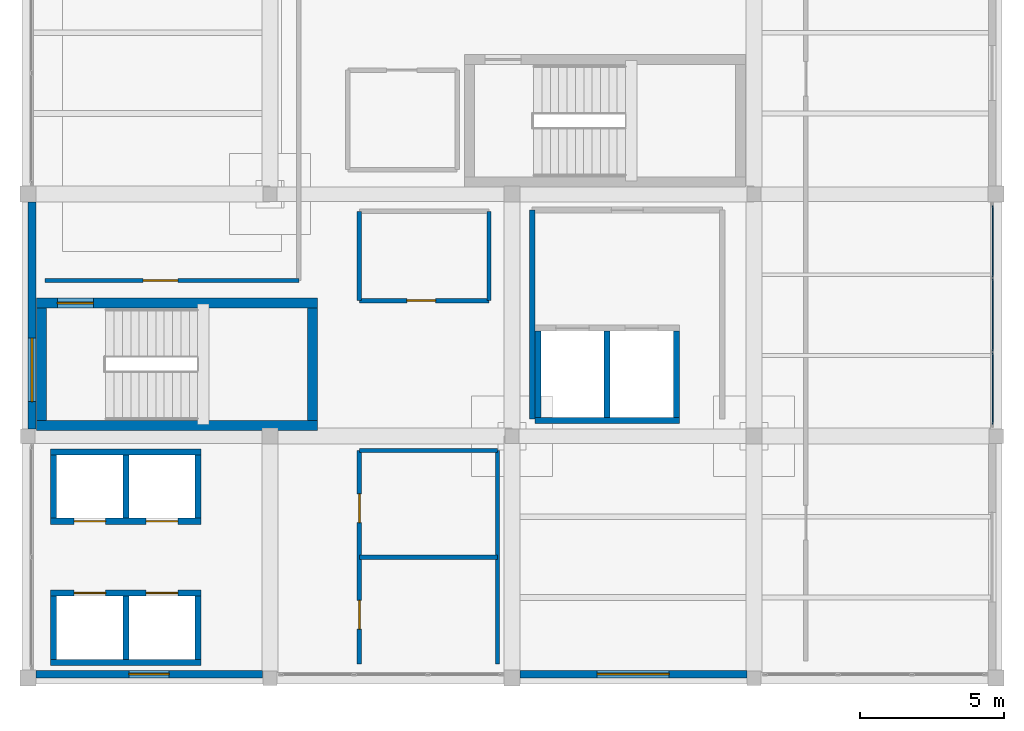
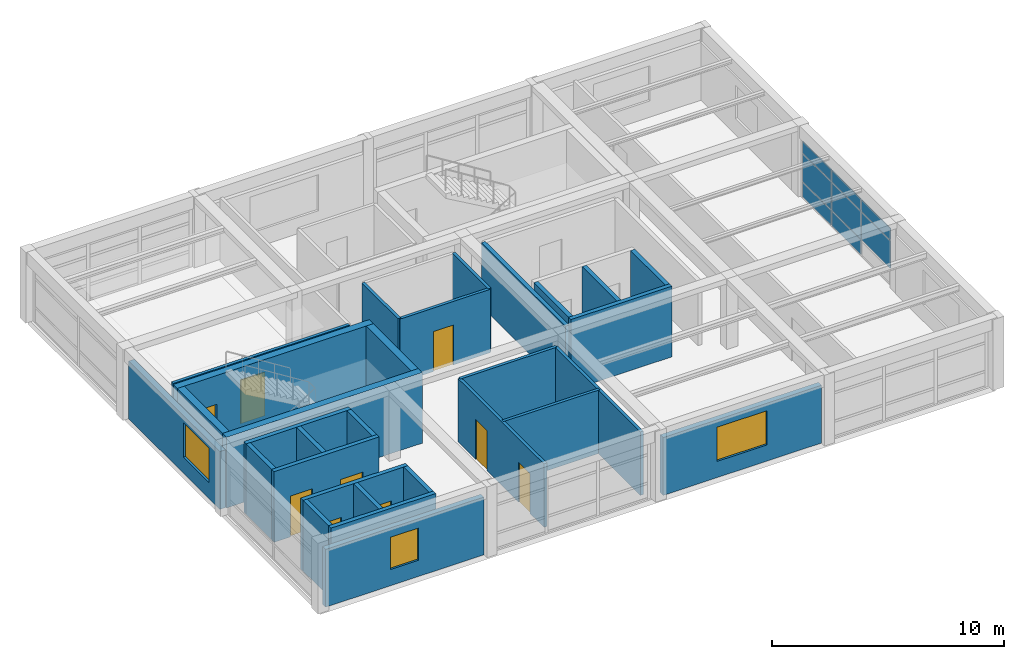
# One storey, part 18 of 20: 30 walls, 9 doors, 8 plates, 3 windows, 12 openings, 1 element without a shape of its own.
"""IFC4 building model written with IfcOpenShell, lengths in metres."""

from ifc_helpers import new_model, si_unit, direction, frame, frame_2d, origin, origin_2d, place, context, subcontext, project, spatial, rectangle, extrude, material, layer, layer_set, type_object, element, fill, aggregate, save


model = new_model("IFC4")

# Units and contexts
model_context = context("Model", 3, precision=1e-05, world=origin(), true_north=direction((0.0, 1.0)))
body_context = subcontext(model_context, "Body", "Model", "MODEL_VIEW")
ifc_project = project(units=[si_unit("LENGTHUNIT", "METRE"), si_unit("AREAUNIT", "SQUARE_METRE"), si_unit("VOLUMEUNIT", "CUBIC_METRE"), si_unit("PLANEANGLEUNIT", "RADIAN"), si_unit("MASSUNIT", "GRAM", prefix="KILO")], contexts=[model_context])

# Site, building, storey
site_placement = place(None, origin())
site = spatial("IfcSite", under=ifc_project, at=site_placement, CompositionType="ELEMENT")
building_placement = place(site_placement, origin())
building = spatial("IfcBuilding", under=site, at=building_placement, Name="Almacenes y Pasaje Nevantli", CompositionType="ELEMENT")
storey_placement = place(building_placement, frame((0.0, 0.0, 62.699951171875)))
storey = spatial("IfcBuildingStorey", under=building, at=storey_placement, Name="L15", CompositionType="ELEMENT", Elevation=62.699951171875)

# Curtain wall, plates
ifc_material_1 = material(Name="Thermally Broken Aluminium and Low-E Glass", Category="aluminium")
curtain_wall_type = type_object("IfcCurtainWallType", Name="CW-UNIT-TOWER", PredefinedType="USERDEFINED", material=ifc_material_1)
curtain_wall_placement = place(storey_placement, origin())
curtain_wall = element("IfcCurtainWall", 1, at=curtain_wall_placement, inside=storey, type_object=curtain_wall_type, Name="L15 Tower East Curtain Wall Bay 10", ObjectType="UNITIZED CURTAIN WALL", PredefinedType="USERDEFINED")
ifc_material_2 = material(Name="Acoustic Tempered Low-E Triple Glazed Unit", Category="glass")
ifc_layer_1 = layer(ifc_material_2, 0.0419921875)
ifc_layer_set_1 = layer_set([ifc_layer_1], Name="Acoustic Tempered Low-E Triple Glazed Unit")
plate_type = type_object("IfcPlateType", Name="PL-IGU-42", PredefinedType="CURTAIN_PANEL", material=ifc_layer_set_1)
plate_1_placement = place(storey_placement, frame((151.080078125, 77.248291015625, 0.880126953125), z_axis=(0.0, 0.0, 1.0), x_axis=(0.0, 1.0, 0.0)))
plate_1 = element("IfcPlate", 2, at=plate_1_placement, type_object=plate_type, Name="CW-L15-189 panel 1.2", PredefinedType="CURTAIN_PANEL", context=body_context, shape_type="SweptSolid", body=[
    extrude(rectangle(XDim=2.4765625, YDim=0.0419921875, at=origin_2d()), origin(), (0.0, 0.0, 1.0), 1.43994140625),
])
plate_2_placement = place(storey_placement, frame((151.080078125, 77.248291015625, 2.3798828125), z_axis=(0.0, 0.0, 1.0), x_axis=(0.0, 1.0, 0.0)))
plate_2 = element("IfcPlate", 3, at=plate_2_placement, type_object=plate_type, Name="CW-L15-189 panel 1.3", PredefinedType="CURTAIN_PANEL", context=body_context, shape_type="SweptSolid", body=[
    extrude(rectangle(XDim=2.4765625, YDim=0.0419921875, at=origin_2d()), origin(), (0.0, 0.0, 1.0), 0.60009765625),
])
plate_3_placement = place(storey_placement, frame((151.080078125, 79.800048828125, 0.06005859375), z_axis=(0.0, 0.0, 1.0), x_axis=(0.0, 1.0, 0.0)))
plate_3 = element("IfcPlate", 4, at=plate_3_placement, type_object=plate_type, Name="CW-L15-189 panel 2.1", PredefinedType="CURTAIN_PANEL", context=body_context, shape_type="SweptSolid", body=[
    extrude(rectangle(XDim=2.506591796875, YDim=0.0419921875, at=origin_2d()), origin(), (0.0, 0.0, 1.0), 0.760009765625),
])
plate_4_placement = place(storey_placement, frame((151.080078125, 79.800048828125, 0.880126953125), z_axis=(0.0, 0.0, 1.0), x_axis=(0.0, 1.0, 0.0)))
plate_4 = element("IfcPlate", 5, at=plate_4_placement, type_object=plate_type, Name="CW-L15-189 panel 2.2", PredefinedType="CURTAIN_PANEL", context=body_context, shape_type="SweptSolid", body=[
    extrude(rectangle(XDim=2.506591796875, YDim=0.0419921875, at=origin_2d()), origin(), (0.0, 0.0, 1.0), 1.43994140625),
])
plate_5_placement = place(storey_placement, frame((151.080078125, 79.800048828125, 2.3798828125), z_axis=(0.0, 0.0, 1.0), x_axis=(0.0, 1.0, 0.0)))
plate_5 = element("IfcPlate", 6, at=plate_5_placement, type_object=plate_type, Name="CW-L15-189 panel 2.3", PredefinedType="CURTAIN_PANEL", context=body_context, shape_type="SweptSolid", body=[
    extrude(rectangle(XDim=2.506591796875, YDim=0.0419921875, at=origin_2d()), origin(), (0.0, 0.0, 1.0), 0.60009765625),
])
plate_6_placement = place(storey_placement, frame((151.080078125, 82.3515625, 0.06005859375), z_axis=(0.0, 0.0, 1.0), x_axis=(0.0, 1.0, 0.0)))
plate_6 = element("IfcPlate", 7, at=plate_6_placement, type_object=plate_type, Name="CW-L15-189 panel 3.1", PredefinedType="CURTAIN_PANEL", context=body_context, shape_type="SweptSolid", body=[
    extrude(rectangle(XDim=2.4765625, YDim=0.0419921875, at=origin_2d()), origin(), (0.0, 0.0, 1.0), 0.760009765625),
])
plate_7_placement = place(storey_placement, frame((151.080078125, 82.3515625, 0.880126953125), z_axis=(0.0, 0.0, 1.0), x_axis=(0.0, 1.0, 0.0)))
plate_7 = element("IfcPlate", 8, at=plate_7_placement, type_object=plate_type, Name="CW-L15-189 panel 3.2", PredefinedType="CURTAIN_PANEL", context=body_context, shape_type="SweptSolid", body=[
    extrude(rectangle(XDim=2.4765625, YDim=0.0419921875, at=origin_2d()), origin(), (0.0, 0.0, 1.0), 1.43994140625),
])
plate_8_placement = place(storey_placement, frame((151.080078125, 82.3515625, 2.3798828125), z_axis=(0.0, 0.0, 1.0), x_axis=(0.0, 1.0, 0.0)))
plate_8 = element("IfcPlate", 9, at=plate_8_placement, type_object=plate_type, Name="CW-L15-189 panel 3.3", PredefinedType="CURTAIN_PANEL", context=body_context, shape_type="SweptSolid", body=[
    extrude(rectangle(XDim=2.4765625, YDim=0.0419921875, at=origin_2d()), origin(), (0.0, 0.0, 1.0), 0.60009765625),
])
aggregate(curtain_wall, [plate_1, plate_2, plate_3, plate_4, plate_5, plate_6, plate_7, plate_8])

# Walls
ifc_material_3 = material(Name="Fire-Rated Concrete Blockwork", Category="masonry")
ifc_layer_2 = layer(ifc_material_3, 0.199951171875)
ifc_layer_set_2 = layer_set([ifc_layer_2], Name="Fire-Rated Concrete Blockwork")
wall_type_1 = type_object("IfcWallType", Name="WL-COMP-200", PredefinedType="PARTITIONING", material=ifc_layer_set_2)
wall_1_placement = place(storey_placement, frame((135.10009765625, 76.199951171875, 0.0), z_axis=(0.0, 0.0, 1.0), x_axis=(0.0, 1.0, 0.0)))
element("IfcWall", 10, at=wall_1_placement, inside=storey, type_object=wall_type_1, Name="L15 Interior Partition Wall IW-200 #259", PredefinedType="PARTITIONING", context=body_context, shape_type="SweptSolid", body=[
    extrude(rectangle(XDim=7.25, YDim=0.199951171875, at=frame_2d((3.625, 0.0))), origin(), (0.0, 0.0, 1.0), 3.340087890625),
])
ifc_material_4 = material(Name="Concrete C45/55", Category="concrete")
ifc_layer_3 = layer(ifc_material_4, 0.35009765625)
ifc_layer_set_3 = layer_set([ifc_layer_3], Name="Concrete C45/55")
wall_type_2 = type_object("IfcWallType", Name="WL-CORE-350", PredefinedType="SHEAR", material=ifc_layer_set_3)
wall_2_placement = place(storey_placement, frame((117.89990234375, 75.97509765625, 0.0), z_axis=(0.0, 0.0, 1.0), x_axis=(1.0, 0.0, 0.0)))
element("IfcWall", 11, at=wall_2_placement, inside=storey, type_object=wall_type_2, Name="L15 Exit Stair ST-01 South Core Shear Wall", PredefinedType="SHEAR", context=body_context, shape_type="SweptSolid", body=[
    extrude(rectangle(XDim=9.75, YDim=0.35009765625, at=frame_2d((4.875, 0.0))), origin(), (0.0, 0.0, 1.0), 3.719970703125),
])

# Wall, opening, door
wall_3_placement = place(storey_placement, frame((117.89990234375, 80.215087890625, 0.0), z_axis=(0.0, 0.0, 1.0), x_axis=(1.0, 0.0, 0.0)))
wall_3 = element("IfcWall", 12, at=wall_3_placement, inside=storey, type_object=wall_type_2, Name="L15 Exit Stair ST-01 North Core Shear Wall", PredefinedType="SHEAR", context=body_context, shape_type="SweptSolid", body=[
    extrude(rectangle(XDim=9.75, YDim=0.35009765625, at=frame_2d((4.875, 0.0))), origin(), (0.0, 0.0, 1.0), 3.719970703125),
])
opening_1_placement = place(wall_3_placement, frame((0.719970703125, 0.0, 0.0)))
opening_1 = element("IfcOpeningElement", 13, at=opening_1_placement, cuts=wall_3, Name="Opening SD-01-L15", PredefinedType="OPENING", context=body_context, shape_type="SweptSolid", body=[
    extrude(rectangle(XDim=1.25, YDim=2.199951171875, at=frame_2d((0.625, 1.10009765625))), frame((0.0, 0.18505859375, 0.0), z_axis=(0.0, -1.0, 0.0), x_axis=(1.0, 0.0, 0.0)), (0.0, 0.0, 1.0), 0.3701171875),
])
ifc_material_5 = material(Name="Galvanized Fire-Rated Steel", Category="steel")
door_type_1 = type_object("IfcDoorType", Name="DR-STAIR-1250", OperationType="SINGLE_SWING_LEFT", PredefinedType="DOOR", material=ifc_material_5)
door_1_placement = place(opening_1_placement, origin())
door_1 = element("IfcDoor", 14, at=door_1_placement, inside=storey, type_object=door_type_1, Name="L15 Smokeproof Exit Stair ST-01 Fire Door", OperationType="SINGLE_SWING_LEFT", OverallHeight=2.199951171875, OverallWidth=1.25, PredefinedType="DOOR", context=body_context, shape_type="SweptSolid", body=[
    extrude(rectangle(XDim=1.25, YDim=2.199951171875, at=frame_2d((0.625, 1.10009765625))), frame((0.0, 0.02490234375, 0.0), z_axis=(0.0, -1.0, 0.0), x_axis=(1.0, 0.0, 0.0)), (0.0, 0.0, 1.0), 0.050048828125),
])
fill(opening_1, door_1)

# Walls
for number, where, z_axis, x_axis, name in (
    (15, (118.074951171875, 76.14990234375, 0.0), (0.0, 0.0, 1.0), (0.0, 1.0, 0.0), "L15 Exit Stair ST-01 West Core Shear Wall"),
    (16, (127.47509765625, 76.14990234375, 0.0), (0.0, 0.0, 1.0), (0.0, 1.0, 0.0), "L15 Exit Stair ST-01 East Core Shear Wall"),
):
    element("IfcWall", number, at=place(storey_placement, frame(where, z_axis=z_axis, x_axis=x_axis)), inside=storey, type_object=wall_type_2, Name=name, PredefinedType="SHEAR", context=body_context, shape_type="SweptSolid", body=[
        extrude(rectangle(XDim=3.89013671875, YDim=0.35009765625, at=frame_2d((1.945068359375, 0.0))), origin(), (0.0, 0.0, 1.0), 3.719970703125),
    ])

# Wall, opening, window
ifc_material_6 = material(Name="Architectural Precast Concrete C35/45 Spandrel Wall", Category="concrete")
ifc_layer_4 = layer(ifc_material_6, 0.280029296875)
ifc_layer_set_4 = layer_set([ifc_layer_4], Name="Architectural Precast Concrete C35/45 Spandrel Wall")
wall_type_3 = type_object("IfcWallType", Name="WL-EXT-CANTERA-280", PredefinedType="SOLIDWALL", material=ifc_layer_set_4)
wall_4_placement = place(storey_placement, frame((117.739990234375, 75.85205078125, 0.0), z_axis=(0.0, 0.0, 1.0), x_axis=(0.0, 1.0, 0.0)))
wall_4 = element("IfcWall", 17, at=wall_4_placement, inside=storey, type_object=wall_type_3, Name="L15 Tower West Cantera Wall Bay 10", PredefinedType="SOLIDWALL", context=body_context, shape_type="SweptSolid", body=[
    extrude(rectangle(XDim=7.869873046875, YDim=0.280029296875, at=frame_2d((3.93505859375, 0.0))), origin(), (0.0, 0.0, 1.0), 3.0400390625),
])
opening_2_placement = place(wall_4_placement, frame((0.947998046875, 0.0, 0.85009765625)))
opening_2 = element("IfcOpeningElement", 18, at=opening_2_placement, cuts=wall_4, Name="Opening WT-31-280", PredefinedType="OPENING", context=body_context, shape_type="SweptSolid", body=[
    extrude(rectangle(XDim=2.199951171875, YDim=1.800048828125, at=frame_2d((1.10009765625, 0.89990234375))), frame((0.0, 0.14990234375, 0.0), z_axis=(0.0, -1.0, 0.0), x_axis=(1.0, 0.0, 0.0)), (0.0, 0.0, 1.0), 0.300048828125),
])
ifc_material_7 = material(Name="Thermally Broken Aluminium and Low-E Double Glazing", Category="aluminium")
window_type_1 = type_object("IfcWindowType", Name="WN-TWR-2200x1800", PartitioningType="SINGLE_PANEL", PredefinedType="WINDOW", material=ifc_material_7)
window_1_placement = place(opening_2_placement, origin())
window_1 = element("IfcWindow", 19, at=window_1_placement, inside=storey, type_object=window_type_1, Name="L15 Exterior Window WT-31 #280", OverallHeight=1.800048828125, OverallWidth=2.199951171875, PartitioningType="SINGLE_PANEL", PredefinedType="WINDOW", context=body_context, shape_type="SweptSolid", body=[
    extrude(rectangle(XDim=2.199951171875, YDim=1.800048828125, at=frame_2d((1.10009765625, 0.89990234375))), frame((0.0, 0.030029296875, 0.0), z_axis=(0.0, -1.0, 0.0), x_axis=(1.0, 0.0, 0.0)), (0.0, 0.0, 1.0), 0.06005859375),
])
fill(opening_2, window_1)

ifc_material_8 = material(Name="Cream Architectural Precast Concrete C35/45 Wall", Category="concrete")
ifc_layer_5 = layer(ifc_material_8, 0.260009765625)
ifc_layer_set_5 = layer_set([ifc_layer_5], Name="Cream Architectural Precast Concrete C35/45 Wall")
wall_type_4 = type_object("IfcWallType", Name="WL-EXT-PRECAST-260", PredefinedType="SOLIDWALL", material=ifc_layer_set_5)
wall_5_placement = place(storey_placement, frame((117.8779296875, 67.340087890625, 0.0), z_axis=(0.0, 0.0, 1.0), x_axis=(1.0, 0.0, 0.0)))
wall_5 = element("IfcWall", 20, at=wall_5_placement, inside=storey, type_object=wall_type_4, Name="L15 Tower South Precast Spandrel Wall Bay 15", PredefinedType="SOLIDWALL", context=body_context, shape_type="SweptSolid", body=[
    extrude(rectangle(XDim=7.8681640625, YDim=0.260009765625, at=frame_2d((3.93408203125, 0.0))), origin(), (0.0, 0.0, 1.0), 3.0400390625),
])
opening_3_placement = place(wall_5_placement, frame((3.221923828125, 0.0, 0.85009765625)))
opening_3 = element("IfcOpeningElement", 21, at=opening_3_placement, cuts=wall_5, Name="Opening WT-34-275", PredefinedType="OPENING", context=body_context, shape_type="SweptSolid", body=[
    extrude(rectangle(XDim=1.39990234375, YDim=1.699951171875, at=frame_2d((0.699951171875, 0.85009765625))), frame((0.0, 0.139892578125, 0.0), z_axis=(0.0, -1.0, 0.0), x_axis=(1.0, 0.0, 0.0)), (0.0, 0.0, 1.0), 0.280029296875),
])
ifc_material_9 = material(Name="Thermally Broken Aluminium and Low-E Double Glazing", Category="aluminium")
window_type_2 = type_object("IfcWindowType", Name="WN-TWR-1400x1700", PartitioningType="SINGLE_PANEL", PredefinedType="WINDOW", material=ifc_material_9)
window_2_placement = place(opening_3_placement, origin())
window_2 = element("IfcWindow", 22, at=window_2_placement, inside=storey, type_object=window_type_2, Name="L15 Exterior Window WT-34 #275", OverallHeight=1.699951171875, OverallWidth=1.39990234375, PartitioningType="SINGLE_PANEL", PredefinedType="WINDOW", context=body_context, shape_type="SweptSolid", body=[
    extrude(rectangle(XDim=1.39990234375, YDim=1.699951171875, at=frame_2d((0.699951171875, 0.85009765625))), frame((0.0, 0.030029296875, 0.0), z_axis=(0.0, -1.0, 0.0), x_axis=(1.0, 0.0, 0.0)), (0.0, 0.0, 1.0), 0.06005859375),
])
fill(opening_3, window_2)

wall_6_placement = place(storey_placement, frame((134.677978515625, 67.340087890625, 0.0), z_axis=(0.0, 0.0, 1.0), x_axis=(1.0, 0.0, 0.0)))
wall_6 = element("IfcWall", 23, at=wall_6_placement, inside=storey, type_object=wall_type_4, Name="L15 Tower South Precast Spandrel Wall Bay 17", PredefinedType="SOLIDWALL", context=body_context, shape_type="SweptSolid", body=[
    extrude(rectangle(XDim=7.8701171875, YDim=0.260009765625, at=frame_2d((3.93505859375, 0.0))), origin(), (0.0, 0.0, 1.0), 3.0400390625),
])
opening_4_placement = place(wall_6_placement, frame((2.672119140625, 0.0, 0.85009765625)))
opening_4 = element("IfcOpeningElement", 24, at=opening_4_placement, cuts=wall_6, Name="Opening WT-30-277", PredefinedType="OPENING", context=body_context, shape_type="SweptSolid", body=[
    extrude(rectangle(XDim=2.5, YDim=1.800048828125, at=frame_2d((1.25, 0.89990234375))), frame((0.0, 0.139892578125, 0.0), z_axis=(0.0, -1.0, 0.0), x_axis=(1.0, 0.0, 0.0)), (0.0, 0.0, 1.0), 0.280029296875),
])
ifc_material_10 = material(Name="Thermally Broken Aluminium and Low-E Double Glazing", Category="aluminium")
window_type_3 = type_object("IfcWindowType", Name="WN-TWR-2500x1800", PartitioningType="SINGLE_PANEL", PredefinedType="WINDOW", material=ifc_material_10)
window_3_placement = place(opening_4_placement, origin())
window_3 = element("IfcWindow", 25, at=window_3_placement, inside=storey, type_object=window_type_3, Name="L15 Exterior Window WT-30 #277", OverallHeight=1.800048828125, OverallWidth=2.5, PartitioningType="SINGLE_PANEL", PredefinedType="WINDOW", context=body_context, shape_type="SweptSolid", body=[
    extrude(rectangle(XDim=2.5, YDim=1.800048828125, at=frame_2d((1.25, 0.89990234375))), frame((0.0, 0.030029296875, 0.0), z_axis=(0.0, -1.0, 0.0), x_axis=(1.0, 0.0, 0.0)), (0.0, 0.0, 1.0), 0.06005859375),
])
fill(opening_4, window_3)

# Wall, opening, door
ifc_material_11 = material(Name="Acoustic Steel-Stud Gypsum Partition", Category="steel")
ifc_layer_6 = layer(ifc_material_11, 0.14990234375)
ifc_layer_set_6 = layer_set([ifc_layer_6], Name="Acoustic Steel-Stud Gypsum Partition")
wall_type_5 = type_object("IfcWallType", Name="WL-PART-150", PredefinedType="PARTITIONING", material=ifc_layer_set_6)
wall_7_placement = place(storey_placement, frame((129.10009765625, 80.300048828125, 0.0), z_axis=(0.0, 0.0, 1.0), x_axis=(1.0, 0.0, 0.0)))
wall_7 = element("IfcWall", 26, at=wall_7_placement, inside=storey, type_object=wall_type_5, Name="L15 Interior Partition Wall IW-150 #261", PredefinedType="PARTITIONING", context=body_context, shape_type="SweptSolid", body=[
    extrude(rectangle(XDim=4.5, YDim=0.14990234375, at=frame_2d((2.25, 0.0))), origin(), (0.0, 0.0, 1.0), 3.340087890625),
])
opening_5_placement = place(wall_7_placement, frame((1.64990234375, 0.0, 0.0)))
opening_5 = element("IfcOpeningElement", 27, at=opening_5_placement, cuts=wall_7, Name="Opening ID-L15-138", PredefinedType="OPENING", context=body_context, shape_type="SweptSolid", body=[
    extrude(rectangle(XDim=1.0, YDim=2.10009765625, at=frame_2d((0.5, 1.050048828125))), frame((0.0, 0.0849609375, 0.0), z_axis=(0.0, -1.0, 0.0), x_axis=(1.0, 0.0, 0.0)), (0.0, 0.0, 1.0), 0.169921875),
])
ifc_material_12 = material(Name="Powder-Coated Hollow Metal", Category="steel")
door_type_2 = type_object("IfcDoorType", Name="DR-INT-1000", OperationType="SINGLE_SWING_LEFT", PredefinedType="DOOR", material=ifc_material_12)
door_2_placement = place(opening_5_placement, origin())
door_2 = element("IfcDoor", 28, at=door_2_placement, inside=storey, type_object=door_type_2, Name="L15 Staff and Public WC Door", OperationType="SINGLE_SWING_LEFT", OverallHeight=2.10009765625, OverallWidth=1.0, PredefinedType="DOOR", context=body_context, shape_type="SweptSolid", body=[
    extrude(rectangle(XDim=1.0, YDim=2.10009765625, at=frame_2d((0.5, 1.050048828125))), frame((0.0, 0.02490234375, 0.0), z_axis=(0.0, -1.0, 0.0), x_axis=(1.0, 0.0, 0.0)), (0.0, 0.0, 1.0), 0.050048828125),
])
fill(opening_5, door_2)

# Walls
for number, where, z_axis, x_axis, name in (
    (29, (129.10009765625, 80.300048828125, 0.0), (0.0, 0.0, 1.0), (0.0, 1.0, 0.0), "L15 Interior Partition Wall IW-150 #263"),
    (30, (133.60009765625, 80.300048828125, 0.0), (0.0, 0.0, 1.0), (0.0, 1.0, 0.0), "L15 Interior Partition Wall IW-150 #264"),
):
    element("IfcWall", number, at=place(storey_placement, frame(where, z_axis=z_axis, x_axis=x_axis)), inside=storey, type_object=wall_type_5, Name=name, PredefinedType="PARTITIONING", context=body_context, shape_type="SweptSolid", body=[
        extrude(rectangle(XDim=3.099853515625, YDim=0.14990234375, at=frame_2d((1.5498046875, 0.0))), origin(), (0.0, 0.0, 1.0), 3.340087890625),
    ])

# Wall, openings, doors
wall_8_placement = place(storey_placement, frame((129.10009765625, 67.699951171875, 0.0), z_axis=(0.0, 0.0, 1.0), x_axis=(0.0, 1.0, 0.0)))
wall_8 = element("IfcWall", 31, at=wall_8_placement, inside=storey, type_object=wall_type_5, Name="L15 Interior Partition Wall IW-150 #269", PredefinedType="PARTITIONING", context=body_context, shape_type="SweptSolid", body=[
    extrude(rectangle(XDim=7.400146484375, YDim=0.14990234375, at=frame_2d((3.7001953125, 0.0))), origin(), (0.0, 0.0, 1.0), 3.340087890625),
])
opening_6_placement = place(wall_8_placement, frame((1.199951171875, 0.0, 0.0)))
opening_6 = element("IfcOpeningElement", 32, at=opening_6_placement, cuts=wall_8, Name="Opening ID-L15-140", PredefinedType="OPENING", context=body_context, shape_type="SweptSolid", body=[
    extrude(rectangle(XDim=1.0, YDim=2.10009765625, at=frame_2d((0.5, 1.050048828125))), frame((0.0, 0.0849609375, 0.0), z_axis=(0.0, -1.0, 0.0), x_axis=(1.0, 0.0, 0.0)), (0.0, 0.0, 1.0), 0.169921875),
])
opening_7_placement = place(wall_8_placement, frame((4.89990234375, 0.0, 0.0)))
opening_7 = element("IfcOpeningElement", 33, at=opening_7_placement, cuts=wall_8, Name="Opening ID-L15-141", PredefinedType="OPENING", context=body_context, shape_type="SweptSolid", body=[
    extrude(rectangle(XDim=1.0, YDim=2.10009765625, at=frame_2d((0.5, 1.050048828125))), frame((0.0, 0.0849609375, 0.0), z_axis=(0.0, -1.0, 0.0), x_axis=(1.0, 0.0, 0.0)), (0.0, 0.0, 1.0), 0.169921875),
])
door_3_placement = place(opening_6_placement, origin())
door_3 = element("IfcDoor", 34, at=door_3_placement, inside=storey, type_object=door_type_2, Name="L15 Archive Room Door", OperationType="SINGLE_SWING_LEFT", OverallHeight=2.10009765625, OverallWidth=1.0, PredefinedType="DOOR", context=body_context, shape_type="SweptSolid", body=[
    extrude(rectangle(XDim=1.0, YDim=2.10009765625, at=frame_2d((0.5, 1.050048828125))), frame((0.0, 0.02490234375, 0.0), z_axis=(0.0, -1.0, 0.0), x_axis=(1.0, 0.0, 0.0)), (0.0, 0.0, 1.0), 0.050048828125),
])
fill(opening_6, door_3)
ifc_material_13 = material(Name="Powder-Coated Hollow Metal", Category="steel")
door_type_3 = type_object("IfcDoorType", Name="DR-INT-1000R", OperationType="SINGLE_SWING_RIGHT", PredefinedType="DOOR", material=ifc_material_13)
door_4_placement = place(opening_7_placement, origin())
door_4 = element("IfcDoor", 35, at=door_4_placement, inside=storey, type_object=door_type_3, Name="L15 IT Server Room Door", OperationType="SINGLE_SWING_RIGHT", OverallHeight=2.10009765625, OverallWidth=1.0, PredefinedType="DOOR", context=body_context, shape_type="SweptSolid", body=[
    extrude(rectangle(XDim=1.0, YDim=2.10009765625, at=frame_2d((0.5, 1.050048828125))), frame((0.0, 0.02490234375, 0.0), z_axis=(0.0, -1.0, 0.0), x_axis=(1.0, 0.0, 0.0)), (0.0, 0.0, 1.0), 0.050048828125),
])
fill(opening_7, door_4)

# Walls
wall_9_placement = place(storey_placement, frame((129.10009765625, 71.39990234375, 0.0), z_axis=(0.0, 0.0, 1.0), x_axis=(1.0, 0.0, 0.0)))
element("IfcWall", 36, at=wall_9_placement, inside=storey, type_object=wall_type_5, Name="L15 Interior Partition Wall IW-150 #270", PredefinedType="PARTITIONING", context=body_context, shape_type="SweptSolid", body=[
    extrude(rectangle(XDim=4.7998046875, YDim=0.14990234375, at=frame_2d((2.39990234375, 0.0))), origin(), (0.0, 0.0, 1.0), 3.340087890625),
])
wall_10_placement = place(storey_placement, frame((133.89990234375, 67.699951171875, 0.0), z_axis=(0.0, 0.0, 1.0), x_axis=(0.0, 1.0, 0.0)))
element("IfcWall", 37, at=wall_10_placement, inside=storey, type_object=wall_type_5, Name="L15 Interior Partition Wall IW-150 #271", PredefinedType="PARTITIONING", context=body_context, shape_type="SweptSolid", body=[
    extrude(rectangle(XDim=7.400146484375, YDim=0.14990234375, at=frame_2d((3.7001953125, 0.0))), origin(), (0.0, 0.0, 1.0), 3.340087890625),
])
wall_11_placement = place(storey_placement, frame((129.10009765625, 75.10009765625, 0.0), z_axis=(0.0, 0.0, 1.0), x_axis=(1.0, 0.0, 0.0)))
element("IfcWall", 38, at=wall_11_placement, inside=storey, type_object=wall_type_5, Name="L15 Interior Partition Wall IW-150 #272", PredefinedType="PARTITIONING", context=body_context, shape_type="SweptSolid", body=[
    extrude(rectangle(XDim=4.7998046875, YDim=0.14990234375, at=frame_2d((2.39990234375, 0.0))), origin(), (0.0, 0.0, 1.0), 3.340087890625),
])

# Wall, opening, door
wall_12_placement = place(storey_placement, frame((118.199951171875, 81.0, 0.0), z_axis=(0.0, 0.0, 1.0), x_axis=(1.0, 0.0, 0.0)))
wall_12 = element("IfcWall", 39, at=wall_12_placement, inside=storey, type_object=wall_type_5, Name="L15 Interior Partition Wall IW-150 #274", PredefinedType="PARTITIONING", context=body_context, shape_type="SweptSolid", body=[
    extrude(rectangle(XDim=8.800048828125, YDim=0.14990234375, at=frame_2d((4.39990234375, 0.0))), origin(), (0.0, 0.0, 1.0), 3.340087890625),
])
opening_8_placement = place(wall_12_placement, frame((3.39990234375, 0.0, 0.0)))
opening_8 = element("IfcOpeningElement", 40, at=opening_8_placement, cuts=wall_12, Name="Opening ID-L15-144", PredefinedType="OPENING", context=body_context, shape_type="SweptSolid", body=[
    extrude(rectangle(XDim=1.199951171875, YDim=2.300048828125, at=frame_2d((0.60009765625, 1.14990234375))), frame((0.0, 0.0849609375, 0.0), z_axis=(0.0, -1.0, 0.0), x_axis=(1.0, 0.0, 0.0)), (0.0, 0.0, 1.0), 0.169921875),
])
ifc_material_14 = material(Name="Anodized Aluminium and Tempered Acoustic Glass", Category="aluminium")
door_type_4 = type_object("IfcDoorType", Name="DR-ACU-1200", OperationType="SINGLE_SWING_LEFT", PredefinedType="DOOR", material=ifc_material_14)
door_5_placement = place(opening_8_placement, origin())
door_5 = element("IfcDoor", 41, at=door_5_placement, inside=storey, type_object=door_type_4, Name="L15 L15 Executive Boardroom Door", OperationType="SINGLE_SWING_LEFT", OverallHeight=2.300048828125, OverallWidth=1.199951171875, PredefinedType="DOOR", context=body_context, shape_type="SweptSolid", body=[
    extrude(rectangle(XDim=1.199951171875, YDim=2.300048828125, at=frame_2d((0.60009765625, 1.14990234375))), frame((0.0, 0.02490234375, 0.0), z_axis=(0.0, -1.0, 0.0), x_axis=(1.0, 0.0, 0.0)), (0.0, 0.0, 1.0), 0.050048828125),
])
fill(opening_8, door_5)

# Wall
ifc_material_15 = material(Name="Concrete C45/55", Category="concrete")
ifc_layer_7 = layer(ifc_material_15, 0.2099609375)
ifc_layer_set_7 = layer_set([ifc_layer_7], Name="Concrete C45/55")
wall_type_6 = type_object("IfcWallType", Name="WL-SHAFT-210", PredefinedType="SHEAR", material=ifc_layer_set_7)
wall_13_placement = place(storey_placement, frame((118.389892578125, 67.7451171875, 0.0), z_axis=(0.0, 0.0, 1.0), x_axis=(1.0, 0.0, 0.0)))
element("IfcWall", 42, at=wall_13_placement, inside=storey, type_object=wall_type_6, Name="L15 Lift Hoistway ELV-P05-ELV-P06 South Wall", PredefinedType="SHEAR", context=body_context, shape_type="SweptSolid", body=[
    extrude(rectangle(XDim=5.22021484375, YDim=0.2099609375, at=frame_2d((2.610107421875, 0.0))), origin(), (0.0, 0.0, 1.0), 3.719970703125),
])

# Wall, openings, doors
wall_14_placement = place(storey_placement, frame((118.389892578125, 70.155029296875, 0.0), z_axis=(0.0, 0.0, 1.0), x_axis=(1.0, 0.0, 0.0)))
wall_14 = element("IfcWall", 43, at=wall_14_placement, inside=storey, type_object=wall_type_6, Name="L15 Lift Hoistway ELV-P05-ELV-P06 North Wall", PredefinedType="SHEAR", context=body_context, shape_type="SweptSolid", body=[
    extrude(rectangle(XDim=5.22021484375, YDim=0.2099609375, at=frame_2d((2.610107421875, 0.0))), origin(), (0.0, 0.0, 1.0), 3.719970703125),
])
opening_9_placement = place(wall_14_placement, frame((0.81005859375, 0.0, 0.0)))
opening_9 = element("IfcOpeningElement", 44, at=opening_9_placement, cuts=wall_14, Name="Opening LD-P05-L15", PredefinedType="OPENING", context=body_context, shape_type="SweptSolid", body=[
    extrude(rectangle(XDim=1.10009765625, YDim=2.14990234375, at=frame_2d((0.550048828125, 1.074951171875))), frame((0.0, 0.114990234375, 0.0), z_axis=(0.0, -1.0, 0.0), x_axis=(1.0, 0.0, 0.0)), (0.0, 0.0, 1.0), 0.22998046875),
])
opening_10_placement = place(wall_14_placement, frame((3.31005859375, 0.0, 0.0)))
opening_10 = element("IfcOpeningElement", 45, at=opening_10_placement, cuts=wall_14, Name="Opening LD-P06-L15", PredefinedType="OPENING", context=body_context, shape_type="SweptSolid", body=[
    extrude(rectangle(XDim=1.10009765625, YDim=2.14990234375, at=frame_2d((0.550048828125, 1.074951171875))), frame((0.0, 0.114990234375, 0.0), z_axis=(0.0, -1.0, 0.0), x_axis=(1.0, 0.0, 0.0)), (0.0, 0.0, 1.0), 0.22998046875),
])
ifc_material_16 = material(Name="Brushed Stainless Steel", Category="steel")
door_type_5 = type_object("IfcDoorType", Name="DR-LD-PASS-1100", OperationType="DOUBLE_DOOR_SLIDING", PredefinedType="DOOR", material=ifc_material_16)
door_6_placement = place(opening_9_placement, origin())
door_6 = element("IfcDoor", 46, at=door_6_placement, inside=storey, type_object=door_type_5, Name="Lift Landing Door ELV-P05 L15", OperationType="DOUBLE_DOOR_SLIDING", OverallHeight=2.14990234375, OverallWidth=1.10009765625, PredefinedType="DOOR", context=body_context, shape_type="SweptSolid", body=[
    extrude(rectangle(XDim=1.10009765625, YDim=2.14990234375, at=frame_2d((0.550048828125, 1.074951171875))), frame((0.0, 0.02490234375, 0.0), z_axis=(0.0, -1.0, 0.0), x_axis=(1.0, 0.0, 0.0)), (0.0, 0.0, 1.0), 0.050048828125),
])
fill(opening_9, door_6)
door_7_placement = place(opening_10_placement, origin())
door_7 = element("IfcDoor", 47, at=door_7_placement, inside=storey, type_object=door_type_5, Name="Lift Landing Door ELV-P06 L15", OperationType="DOUBLE_DOOR_SLIDING", OverallHeight=2.14990234375, OverallWidth=1.10009765625, PredefinedType="DOOR", context=body_context, shape_type="SweptSolid", body=[
    extrude(rectangle(XDim=1.10009765625, YDim=2.14990234375, at=frame_2d((0.550048828125, 1.074951171875))), frame((0.0, 0.02490234375, 0.0), z_axis=(0.0, -1.0, 0.0), x_axis=(1.0, 0.0, 0.0)), (0.0, 0.0, 1.0), 0.050048828125),
])
fill(opening_10, door_7)

# Walls
for number, where, z_axis, x_axis, name in (
    (48, (118.4951171875, 67.85009765625, 0.0), (0.0, 0.0, 1.0), (0.0, 1.0, 0.0), "L15 Lift Hoistway ELV-P05 West Wall"),
    (49, (123.5048828125, 67.85009765625, 0.0), (0.0, 0.0, 1.0), (0.0, 1.0, 0.0), "L15 Lift Hoistway ELV-P06 East Wall"),
    (50, (121.0, 67.85009765625, 0.0), (0.0, 0.0, 1.0), (0.0, 1.0, 0.0), "L15 Lift Hoistway Divider Wall ELV-P05/ELV-P06"),
):
    element("IfcWall", number, at=place(storey_placement, frame(where, z_axis=z_axis, x_axis=x_axis)), inside=storey, type_object=wall_type_6, Name=name, PredefinedType="SHEAR", context=body_context, shape_type="SweptSolid", body=[
        extrude(rectangle(XDim=2.199951171875, YDim=0.2099609375, at=frame_2d((1.10009765625, 0.0))), origin(), (0.0, 0.0, 1.0), 3.719970703125),
    ])

# Wall, openings, doors
wall_15_placement = place(storey_placement, frame((118.389892578125, 72.64501953125, 0.0), z_axis=(0.0, 0.0, 1.0), x_axis=(1.0, 0.0, 0.0)))
wall_15 = element("IfcWall", 51, at=wall_15_placement, inside=storey, type_object=wall_type_6, Name="L15 Lift Hoistway ELV-P07-ELV-P08 South Wall", PredefinedType="SHEAR", context=body_context, shape_type="SweptSolid", body=[
    extrude(rectangle(XDim=5.22021484375, YDim=0.2099609375, at=frame_2d((2.610107421875, 0.0))), origin(), (0.0, 0.0, 1.0), 3.719970703125),
])
opening_11_placement = place(wall_15_placement, frame((0.81005859375, 0.0, 0.0)))
opening_11 = element("IfcOpeningElement", 52, at=opening_11_placement, cuts=wall_15, Name="Opening LD-P07-L15", PredefinedType="OPENING", context=body_context, shape_type="SweptSolid", body=[
    extrude(rectangle(XDim=1.10009765625, YDim=2.14990234375, at=frame_2d((0.550048828125, 1.074951171875))), frame((0.0, 0.114990234375, 0.0), z_axis=(0.0, -1.0, 0.0), x_axis=(1.0, 0.0, 0.0)), (0.0, 0.0, 1.0), 0.22998046875),
])
opening_12_placement = place(wall_15_placement, frame((3.31005859375, 0.0, 0.0)))
opening_12 = element("IfcOpeningElement", 53, at=opening_12_placement, cuts=wall_15, Name="Opening LD-P08-L15", PredefinedType="OPENING", context=body_context, shape_type="SweptSolid", body=[
    extrude(rectangle(XDim=1.10009765625, YDim=2.14990234375, at=frame_2d((0.550048828125, 1.074951171875))), frame((0.0, 0.114990234375, 0.0), z_axis=(0.0, -1.0, 0.0), x_axis=(1.0, 0.0, 0.0)), (0.0, 0.0, 1.0), 0.22998046875),
])
door_8_placement = place(opening_11_placement, origin())
door_8 = element("IfcDoor", 54, at=door_8_placement, inside=storey, type_object=door_type_5, Name="Lift Landing Door ELV-P07 L15", OperationType="DOUBLE_DOOR_SLIDING", OverallHeight=2.14990234375, OverallWidth=1.10009765625, PredefinedType="DOOR", context=body_context, shape_type="SweptSolid", body=[
    extrude(rectangle(XDim=1.10009765625, YDim=2.14990234375, at=frame_2d((0.550048828125, 1.074951171875))), frame((0.0, 0.02490234375, 0.0), z_axis=(0.0, -1.0, 0.0), x_axis=(1.0, 0.0, 0.0)), (0.0, 0.0, 1.0), 0.050048828125),
])
fill(opening_11, door_8)
door_9_placement = place(opening_12_placement, origin())
door_9 = element("IfcDoor", 55, at=door_9_placement, inside=storey, type_object=door_type_5, Name="Lift Landing Door ELV-P08 L15", OperationType="DOUBLE_DOOR_SLIDING", OverallHeight=2.14990234375, OverallWidth=1.10009765625, PredefinedType="DOOR", context=body_context, shape_type="SweptSolid", body=[
    extrude(rectangle(XDim=1.10009765625, YDim=2.14990234375, at=frame_2d((0.550048828125, 1.074951171875))), frame((0.0, 0.02490234375, 0.0), z_axis=(0.0, -1.0, 0.0), x_axis=(1.0, 0.0, 0.0)), (0.0, 0.0, 1.0), 0.050048828125),
])
fill(opening_12, door_9)

# Walls
wall_16_placement = place(storey_placement, frame((118.389892578125, 75.054931640625, 0.0), z_axis=(0.0, 0.0, 1.0), x_axis=(1.0, 0.0, 0.0)))
element("IfcWall", 56, at=wall_16_placement, inside=storey, type_object=wall_type_6, Name="L15 Lift Hoistway ELV-P07-ELV-P08 North Wall", PredefinedType="SHEAR", context=body_context, shape_type="SweptSolid", body=[
    extrude(rectangle(XDim=5.22021484375, YDim=0.2099609375, at=frame_2d((2.610107421875, 0.0))), origin(), (0.0, 0.0, 1.0), 3.719970703125),
])
for number, where, z_axis, x_axis, name in (
    (57, (118.4951171875, 72.75, 0.0), (0.0, 0.0, 1.0), (0.0, 1.0, 0.0), "L15 Lift Hoistway ELV-P07 West Wall"),
    (58, (123.5048828125, 72.75, 0.0), (0.0, 0.0, 1.0), (0.0, 1.0, 0.0), "L15 Lift Hoistway ELV-P08 East Wall"),
    (59, (121.0, 72.75, 0.0), (0.0, 0.0, 1.0), (0.0, 1.0, 0.0), "L15 Lift Hoistway Divider Wall ELV-P07/ELV-P08"),
):
    element("IfcWall", number, at=place(storey_placement, frame(where, z_axis=z_axis, x_axis=x_axis)), inside=storey, type_object=wall_type_6, Name=name, PredefinedType="SHEAR", context=body_context, shape_type="SweptSolid", body=[
        extrude(rectangle(XDim=2.199951171875, YDim=0.2099609375, at=frame_2d((1.10009765625, 0.0))), origin(), (0.0, 0.0, 1.0), 3.719970703125),
    ])
wall_17_placement = place(storey_placement, frame((135.18994140625, 76.14501953125, 0.0), z_axis=(0.0, 0.0, 1.0), x_axis=(1.0, 0.0, 0.0)))
element("IfcWall", 60, at=wall_17_placement, inside=storey, type_object=wall_type_6, Name="L15 Lift Hoistway ELV-FF1-ELV-FF2 South Wall", PredefinedType="SHEAR", context=body_context, shape_type="SweptSolid", body=[
    extrude(rectangle(XDim=5.02001953125, YDim=0.2099609375, at=frame_2d((2.510009765625, 0.0))), origin(), (0.0, 0.0, 1.0), 3.719970703125),
])
for number, where, z_axis, x_axis, name in (
    (61, (135.294921875, 76.25, 0.0), (0.0, 0.0, 1.0), (0.0, 1.0, 0.0), "L15 Lift Hoistway ELV-FF1 West Wall"),
    (62, (140.10498046875, 76.25, 0.0), (0.0, 0.0, 1.0), (0.0, 1.0, 0.0), "L15 Lift Hoistway ELV-FF2 East Wall"),
    (63, (137.699951171875, 76.25, 0.0), (0.0, 0.0, 1.0), (0.0, 1.0, 0.0), "L15 Lift Hoistway Divider Wall ELV-FF1/ELV-FF2"),
):
    element("IfcWall", number, at=place(storey_placement, frame(where, z_axis=z_axis, x_axis=x_axis)), inside=storey, type_object=wall_type_6, Name=name, PredefinedType="SHEAR", context=body_context, shape_type="SweptSolid", body=[
        extrude(rectangle(XDim=3.0, YDim=0.2099609375, at=frame_2d((1.5, 0.0))), origin(), (0.0, 0.0, 1.0), 3.719970703125),
    ])

save(model, "model.ifc")
